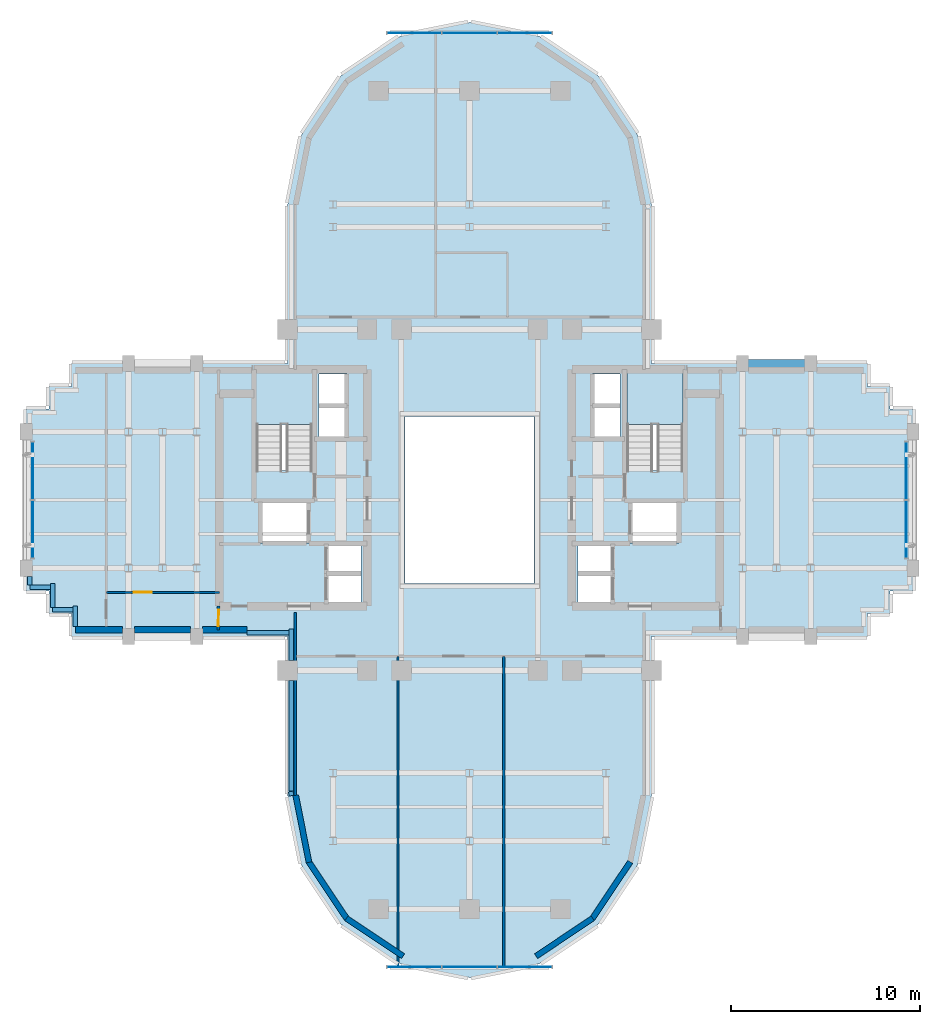
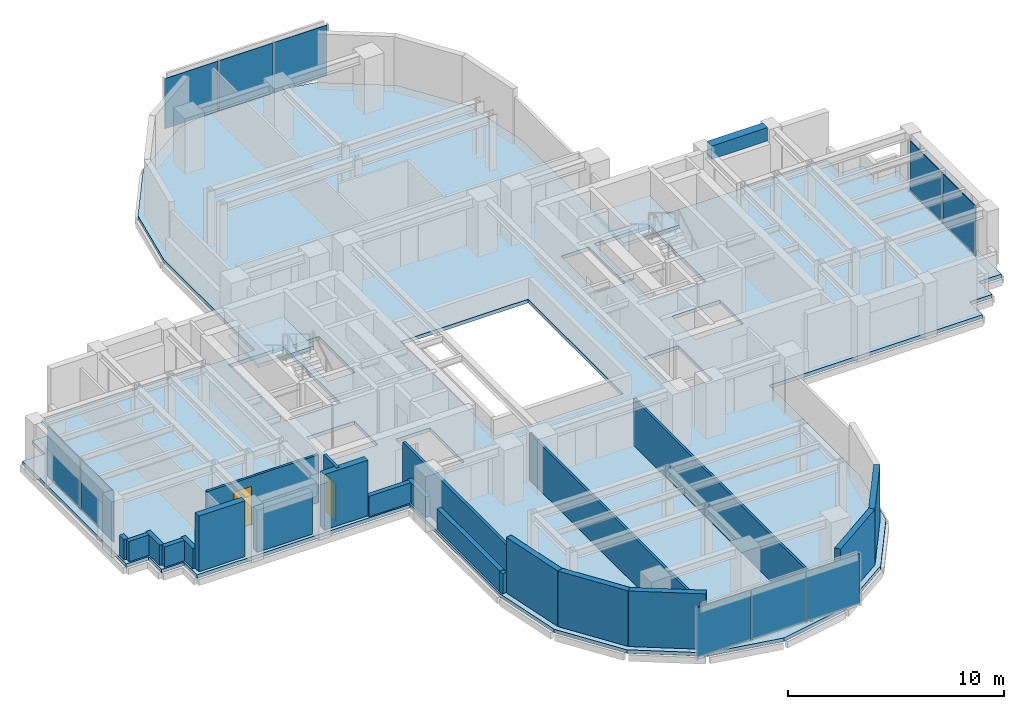
# One storey, part 7 of 13: 22 walls, 10 plates, 3 slabs, 2 doors, 1 beam, 2 openings, 6 elements without a shape of their own.
"""IFC4 building model written with IfcOpenShell, lengths in metres."""

from ifc_helpers import new_model, si_unit, direction, frame, frame_2d, origin, origin_2d, place, context, subcontext, project, spatial, polyline, rectangle, outline, extrude, source, transform, mapped, material, layer, layer_set, material_profile, profile_set, type_object, element, fill, aggregate, save


model = new_model("IFC4")

# Units and contexts
model_context = context("Model", 3, precision=1e-05, world=origin(), true_north=direction((0.0, 1.0)))
body_context = subcontext(model_context, "Body", "Model", "MODEL_VIEW")
ifc_project = project(units=[si_unit("LENGTHUNIT", "METRE"), si_unit("AREAUNIT", "SQUARE_METRE"), si_unit("VOLUMEUNIT", "CUBIC_METRE"), si_unit("PLANEANGLEUNIT", "RADIAN"), si_unit("MASSUNIT", "GRAM", prefix="KILO")], contexts=[model_context])

# Site, building, storey
site_placement = place(None, origin())
site = spatial("IfcSite", under=ifc_project, at=site_placement, CompositionType="ELEMENT")
building_placement = place(site_placement, origin())
building = spatial("IfcBuilding", under=site, at=building_placement, Name="Keilestroom Media Tower", CompositionType="ELEMENT")
storey_placement = place(building_placement, frame((0.0, 0.0, 148.199951171875)))
storey = spatial("IfcBuildingStorey", under=building, at=storey_placement, Name="L40", CompositionType="ELEMENT", Elevation=148.199951171875)

# Beam
ifc_material_1 = material(Name="Precast concrete C40/50", Category="concrete")
ifc_material_profile = material_profile(ifc_material_1, rectangle(XDim=0.449951171875, YDim=0.75, at=origin_2d()), Name="PC 450x750")
ifc_profile_set = profile_set([ifc_material_profile], Name="Precast concrete C40/50")
beam_type = type_object("IfcBeamType", Name="Perimeter-Spandrel-Beam-PC-450x750", PredefinedType="SPANDREL", material=ifc_profile_set)
shared_shape_1 = source(origin(), body_context, "Body", "SweptSolid", [
    extrude(rectangle(XDim=0.449951171875, YDim=0.75, at=origin_2d()), origin(), (0.0, 0.0, 1.0), 2.989990234375),
])
beam_placement = place(storey_placement, frame((14.705078125, 7.199951171875, 2.76513671875), z_axis=(1.0, 0.0, 0.0), x_axis=(0.0, 1.0, 0.0)))
element("IfcBeam", 1, at=beam_placement, inside=storey, type_object=beam_type, Name="L40 Beam SPB-1 BM-L40-EW-027", PredefinedType="SPANDREL", context=body_context, shape_type="MappedRepresentation", body=[
    mapped(shared_shape_1, transform((0.0, 0.0, 0.0), x_axis=(1.0, 0.0, 0.0), y_axis=(0.0, 1.0, 0.0), z_axis=(0.0, 0.0, 1.0), scale=1.0)),
])

# Slab
ifc_material_2 = material(Name="Concrete C50/60", Category="concrete")
ifc_layer_1 = layer(ifc_material_2, 0.199951171875)
ifc_layer_set_1 = layer_set([ifc_layer_1], Name="Concrete C50/60")
slab_type_1 = type_object("IfcSlabType", Name="Composite-Floor-Slab-200", PredefinedType="FLOOR", material=ifc_layer_set_1)
slab_1_placement = place(storey_placement, frame((0.0, 0.0, -0.199951171875)))
element("IfcSlab", 2, at=slab_1_placement, inside=storey, type_object=slab_type_1, Name="L40 Structural Composite Floor Slab", PredefinedType="FLOOR", context=body_context, shape_type="SweptSolid", body=[
    extrude(outline(polyline([(23.39990234375, -4.800048828125), (23.39990234375, 4.800048828125), (22.199951171875, 4.800048828125), (22.199951171875, 6.0), (21.0, 6.0), (21.0, 7.199951171875), (9.60009765625, 7.199951171875), (9.60009765625, 9.60009765625), (9.60009765625, 15.60009765625), (8.869140625, 19.273681640625), (6.7880859375, 22.38818359375), (3.673828125, 24.46923828125), (0.0, 25.199951171875), (-3.673828125, 24.46923828125), (-6.7880859375, 22.38818359375), (-8.869140625, 19.273681640625), (-9.60009765625, 15.60009765625), (-9.60009765625, 9.60009765625), (-9.60009765625, 7.199951171875), (-21.0, 7.199951171875), (-21.0, 6.0), (-22.199951171875, 6.0), (-22.199951171875, 4.800048828125), (-23.39990234375, 4.800048828125), (-23.39990234375, -4.800048828125), (-22.199951171875, -4.800048828125), (-22.199951171875, -6.0), (-21.0, -6.0), (-21.0, -7.199951171875), (-9.60009765625, -7.199951171875), (-9.60009765625, -9.60009765625), (-9.60009765625, -15.60009765625), (-8.869140625, -19.273681640625), (-6.7880859375, -22.38818359375), (-3.673828125, -24.46923828125), (0.0, -25.199951171875), (3.673828125, -24.46923828125), (6.7880859375, -22.38818359375), (8.869140625, -19.273681640625), (9.60009765625, -15.60009765625), (9.60009765625, -9.60009765625), (9.60009765625, -7.199951171875), (21.0, -7.199951171875), (21.0, -6.0), (22.199951171875, -6.0), (22.199951171875, -4.800048828125), (23.39990234375, -4.800048828125)]), holes=[polyline([(-11.260009765625, 1.544921875), (-11.260009765625, 6.760009765625), (-8.300048828125, 6.760009765625), (-8.300048828125, 1.544921875), (-11.260009765625, 1.544921875)]), polyline([(-11.050048828125, -2.280029296875), (-11.050048828125, -0.10009765625), (-8.47998046875, -0.10009765625), (-8.47998046875, -2.280029296875), (-11.050048828125, -2.280029296875)]), polyline([(-7.949951171875, 3.300048828125), (-7.949951171875, 6.64990234375), (-6.47998046875, 6.64990234375), (-6.47998046875, 3.300048828125), (-7.949951171875, 3.300048828125)]), polyline([(-7.56005859375, -2.320068359375), (-5.719970703125, -2.320068359375), (-5.719970703125, -5.47998046875), (-7.56005859375, -5.47998046875), (-7.56005859375, -2.320068359375)]), polyline([(3.39990234375, -4.39990234375), (-3.39990234375, -4.39990234375), (-3.39990234375, 4.39990234375), (3.39990234375, 4.39990234375), (3.39990234375, -4.39990234375)]), polyline([(7.56005859375, -2.320068359375), (7.56005859375, -5.47998046875), (5.719970703125, -5.47998046875), (5.719970703125, -2.320068359375), (7.56005859375, -2.320068359375)]), polyline([(6.47998046875, 3.300048828125), (6.47998046875, 6.64990234375), (7.949951171875, 6.64990234375), (7.949951171875, 3.300048828125), (6.47998046875, 3.300048828125)]), polyline([(8.300048828125, 1.544921875), (8.300048828125, 6.760009765625), (11.260009765625, 6.760009765625), (11.260009765625, 1.544921875), (8.300048828125, 1.544921875)]), polyline([(8.47998046875, -2.280029296875), (8.47998046875, -0.10009765625), (11.050048828125, -0.10009765625), (11.050048828125, -2.280029296875), (8.47998046875, -2.280029296875)])]), origin(), (0.0, 0.0, 1.0), 0.199951171875),
])

# Stair, slab
ifc_material_3 = material(Name="Concrete C45/55", Category="concrete")
stair_type = type_object("IfcStairType", Name="Enclosed-Dog-Leg-Stair-ST-CORE", PredefinedType="HALF_TURN_STAIR", material=ifc_material_3)
stair_1_placement = place(storey_placement, origin())
stair_1 = element("IfcStair", 3, at=stair_1_placement, inside=storey, type_object=stair_type, Name="L40 West Core Escape Stair ST-1", PredefinedType="HALF_TURN_STAIR")
ifc_layer_2 = layer(ifc_material_3, 0.199951171875)
ifc_layer_set_2 = layer_set([ifc_layer_2], Name="Concrete C45/55")
slab_type_2 = type_object("IfcSlabType", Name="Stair-Intermediate-And-Top-Landing-Slab-200", PredefinedType="LANDING", material=ifc_layer_set_2)
slab_2_placement = place(storey_placement, frame((0.0, 0.0, 1.5)))
slab_2 = element("IfcSlab", 4, at=slab_2_placement, type_object=slab_type_2, Name="ST-1 landing 1", PredefinedType="LANDING", context=body_context, shape_type="SweptSolid", body=[
    extrude(outline(polyline([(-8.300048828125, 3.99609375), (-8.300048828125, 6.760009765625), (-11.260009765625, 6.760009765625), (-11.260009765625, 3.99609375), (-8.300048828125, 3.99609375)])), origin(), (0.0, 0.0, 1.0), 0.199951171875),
])
aggregate(stair_1, [slab_2])

stair_2_placement = place(storey_placement, origin())
stair_2 = element("IfcStair", 5, at=stair_2_placement, inside=storey, type_object=stair_type, Name="L40 East Core Escape Stair ST-2", PredefinedType="HALF_TURN_STAIR")
slab_3_placement = place(storey_placement, frame((0.0, 0.0, 1.5)))
slab_3 = element("IfcSlab", 6, at=slab_3_placement, type_object=slab_type_2, Name="ST-2 landing 1", PredefinedType="LANDING", context=body_context, shape_type="SweptSolid", body=[
    extrude(outline(polyline([(11.260009765625, 3.99609375), (11.260009765625, 6.760009765625), (8.300048828125, 6.760009765625), (8.300048828125, 3.99609375), (11.260009765625, 3.99609375)])), origin(), (0.0, 0.0, 1.0), 0.199951171875),
])
aggregate(stair_2, [slab_3])

# Curtain wall, plates
ifc_material_4 = material(Name="Anodised Aluminium Alloy", Category="aluminium")
curtain_wall_type_1 = type_object("IfcCurtainWallType", Name="Unitised-Curtain-Wall-CW-6", PredefinedType="NOTDEFINED", material=ifc_material_4)
curtain_wall_1_placement = place(storey_placement, origin())
curtain_wall_1 = element("IfcCurtainWall", 7, at=curtain_wall_1_placement, inside=storey, type_object=curtain_wall_type_1, Name="L40 Curtain Wall CW-6 CW-L40-LN-1", PredefinedType="NOTDEFINED")
ifc_material_5 = material(Name="Curved-Facet Triple Glazed Unit", Category="glass")
ifc_layer_3 = layer(ifc_material_5, 0.033935546875)
ifc_layer_set_3 = layer_set([ifc_layer_3], Name="Curved-Facet Triple Glazed Unit")
plate_type_1 = type_object("IfcPlateType", Name="Insulated-Curtain-Wall-Glazing-Panel-CW-6", PredefinedType="CURTAIN_PANEL", material=ifc_layer_set_3)
shared_shape_2 = source(origin(), body_context, "Body", "SweptSolid", [
    extrude(rectangle(XDim=2.84375, YDim=0.033935546875, at=origin_2d()), origin(), (0.0, 0.0, 1.0), 2.833984375),
])
plate_1_placement = place(storey_placement, frame((-2.9169921875, 24.64990234375, 0.072998046875), z_axis=(0.0, 0.0, 1.0), x_axis=(1.0, 0.0, 0.0)))
plate_1 = element("IfcPlate", 8, at=plate_1_placement, type_object=plate_type_1, Name="CW-6 Unitised Glazing 00", PredefinedType="CURTAIN_PANEL", context=body_context, shape_type="MappedRepresentation", body=[
    mapped(shared_shape_2, transform((0.0, 0.0, 0.0), x_axis=(1.0, 0.0, 0.0), y_axis=(0.0, 1.0, 0.0), z_axis=(0.0, 0.0, 1.0), scale=1.0)),
])
plate_2_placement = place(storey_placement, frame((2.9169921875, 24.64990234375, 0.072998046875), z_axis=(0.0, 0.0, 1.0), x_axis=(1.0, 0.0, 0.0)))
plate_2 = element("IfcPlate", 9, at=plate_2_placement, type_object=plate_type_1, Name="CW-6 Unitised Glazing 02", PredefinedType="CURTAIN_PANEL", context=body_context, shape_type="MappedRepresentation", body=[
    mapped(shared_shape_2, transform((0.0, 0.0, 0.0), x_axis=(1.0, 0.0, 0.0), y_axis=(0.0, 1.0, 0.0), z_axis=(0.0, 0.0, 1.0), scale=1.0)),
])

curtain_wall_2_placement = place(storey_placement, origin())
curtain_wall_2 = element("IfcCurtainWall", 10, at=curtain_wall_2_placement, inside=storey, type_object=curtain_wall_type_1, Name="L40 Curtain Wall CW-6 CW-L40-LS-1", PredefinedType="NOTDEFINED")
plate_3_placement = place(storey_placement, frame((-2.9169921875, -24.64990234375, 0.072998046875), z_axis=(0.0, 0.0, 1.0), x_axis=(1.0, 0.0, 0.0)))
plate_3 = element("IfcPlate", 11, at=plate_3_placement, type_object=plate_type_1, Name="CW-6 Unitised Glazing 00", PredefinedType="CURTAIN_PANEL", context=body_context, shape_type="MappedRepresentation", body=[
    mapped(shared_shape_2, transform((0.0, 0.0, 0.0), x_axis=(1.0, 0.0, 0.0), y_axis=(0.0, 1.0, 0.0), z_axis=(0.0, 0.0, 1.0), scale=1.0)),
])
plate_4_placement = place(storey_placement, frame((2.9169921875, -24.64990234375, 0.072998046875), z_axis=(0.0, 0.0, 1.0), x_axis=(1.0, 0.0, 0.0)))
plate_4 = element("IfcPlate", 12, at=plate_4_placement, type_object=plate_type_1, Name="CW-6 Unitised Glazing 02", PredefinedType="CURTAIN_PANEL", context=body_context, shape_type="MappedRepresentation", body=[
    mapped(shared_shape_2, transform((0.0, 0.0, 0.0), x_axis=(1.0, 0.0, 0.0), y_axis=(0.0, 1.0, 0.0), z_axis=(0.0, 0.0, 1.0), scale=1.0)),
])

# Plate
shared_shape_3 = source(origin(), body_context, "Body", "SweptSolid", [
    extrude(rectangle(XDim=2.876220703125, YDim=0.033935546875, at=origin_2d()), origin(), (0.0, 0.0, 1.0), 2.833984375),
])
plate_5_placement = place(storey_placement, frame((0.0, 24.64990234375, 0.072998046875), z_axis=(0.0, 0.0, 1.0), x_axis=(1.0, 0.0, 0.0)))
plate_5 = element("IfcPlate", 13, at=plate_5_placement, type_object=plate_type_1, Name="CW-6 Unitised Glazing 01", PredefinedType="CURTAIN_PANEL", context=body_context, shape_type="MappedRepresentation", body=[
    mapped(shared_shape_3, transform((0.0, 0.0, 0.0), x_axis=(1.0, 0.0, 0.0), y_axis=(0.0, 1.0, 0.0), z_axis=(0.0, 0.0, 1.0), scale=1.0)),
])

aggregate(curtain_wall_1, [plate_1, plate_5, plate_2])

plate_6_placement = place(storey_placement, frame((0.0, -24.64990234375, 0.072998046875), z_axis=(0.0, 0.0, 1.0), x_axis=(1.0, 0.0, 0.0)))
plate_6 = element("IfcPlate", 14, at=plate_6_placement, type_object=plate_type_1, Name="CW-6 Unitised Glazing 01", PredefinedType="CURTAIN_PANEL", context=body_context, shape_type="MappedRepresentation", body=[
    mapped(shared_shape_3, transform((0.0, 0.0, 0.0), x_axis=(1.0, 0.0, 0.0), y_axis=(0.0, 1.0, 0.0), z_axis=(0.0, 0.0, 1.0), scale=1.0)),
])

aggregate(curtain_wall_2, [plate_3, plate_6, plate_4])

# Curtain wall, plates
curtain_wall_type_2 = type_object("IfcCurtainWallType", Name="Unitised-Curtain-Wall-CW-2", PredefinedType="NOTDEFINED", material=ifc_material_4)
curtain_wall_3_placement = place(storey_placement, origin())
curtain_wall_3 = element("IfcCurtainWall", 15, at=curtain_wall_3_placement, inside=storey, type_object=curtain_wall_type_2, Name="L40 Curtain Wall CW-2 CW-L40-W-1", PredefinedType="NOTDEFINED")
ifc_material_6 = material(Name="Double Glazed Low-E Unit", Category="glass")
ifc_layer_4 = layer(ifc_material_6, 0.0419921875)
ifc_layer_set_4 = layer_set([ifc_layer_4], Name="Double Glazed Low-E Unit")
plate_type_2 = type_object("IfcPlateType", Name="Insulated-Curtain-Wall-Glazing-Panel-CW-2", PredefinedType="CURTAIN_PANEL", material=ifc_layer_set_4)
shared_shape_4 = source(origin(), body_context, "Body", "SweptSolid", [
    extrude(rectangle(XDim=3.01806640625, YDim=0.0419921875, at=origin_2d()), origin(), (0.0, 0.0, 1.0), 2.833984375),
])
plate_7_placement = place(storey_placement, frame((-23.050048828125, -1.5400390625, 0.072998046875), z_axis=(0.0, 0.0, 1.0), x_axis=(0.0, 1.0, 0.0)))
plate_7 = element("IfcPlate", 16, at=plate_7_placement, type_object=plate_type_2, Name="CW-2 Unitised Glazing 00", PredefinedType="CURTAIN_PANEL", context=body_context, shape_type="MappedRepresentation", body=[
    mapped(shared_shape_4, transform((0.0, 0.0, 0.0), x_axis=(1.0, 0.0, 0.0), y_axis=(0.0, 1.0, 0.0), z_axis=(0.0, 0.0, 1.0), scale=1.0)),
])
plate_8_placement = place(storey_placement, frame((-23.050048828125, 1.5400390625, 0.072998046875), z_axis=(0.0, 0.0, 1.0), x_axis=(0.0, 1.0, 0.0)))
plate_8 = element("IfcPlate", 17, at=plate_8_placement, type_object=plate_type_2, Name="CW-2 Unitised Glazing 01", PredefinedType="CURTAIN_PANEL", context=body_context, shape_type="MappedRepresentation", body=[
    mapped(shared_shape_4, transform((0.0, 0.0, 0.0), x_axis=(1.0, 0.0, 0.0), y_axis=(0.0, 1.0, 0.0), z_axis=(0.0, 0.0, 1.0), scale=1.0)),
])
aggregate(curtain_wall_3, [plate_7, plate_8])

curtain_wall_4_placement = place(storey_placement, origin())
curtain_wall_4 = element("IfcCurtainWall", 18, at=curtain_wall_4_placement, inside=storey, type_object=curtain_wall_type_2, Name="L40 Curtain Wall CW-2 CW-L40-E-1", PredefinedType="NOTDEFINED")
plate_9_placement = place(storey_placement, frame((23.050048828125, -1.5400390625, 0.072998046875), z_axis=(0.0, 0.0, 1.0), x_axis=(0.0, 1.0, 0.0)))
plate_9 = element("IfcPlate", 19, at=plate_9_placement, type_object=plate_type_2, Name="CW-2 Unitised Glazing 00", PredefinedType="CURTAIN_PANEL", context=body_context, shape_type="MappedRepresentation", body=[
    mapped(shared_shape_4, transform((0.0, 0.0, 0.0), x_axis=(1.0, 0.0, 0.0), y_axis=(0.0, 1.0, 0.0), z_axis=(0.0, 0.0, 1.0), scale=1.0)),
])
plate_10_placement = place(storey_placement, frame((23.050048828125, 1.5400390625, 0.072998046875), z_axis=(0.0, 0.0, 1.0), x_axis=(0.0, 1.0, 0.0)))
plate_10 = element("IfcPlate", 20, at=plate_10_placement, type_object=plate_type_2, Name="CW-2 Unitised Glazing 01", PredefinedType="CURTAIN_PANEL", context=body_context, shape_type="MappedRepresentation", body=[
    mapped(shared_shape_4, transform((0.0, 0.0, 0.0), x_axis=(1.0, 0.0, 0.0), y_axis=(0.0, 1.0, 0.0), z_axis=(0.0, 0.0, 1.0), scale=1.0)),
])
aggregate(curtain_wall_4, [plate_9, plate_10])

# Walls
ifc_layer_5 = layer(ifc_material_1, 0.300048828125)
ifc_layer_set_5 = layer_set([ifc_layer_5], Name="Precast concrete C40/50")
wall_type_1 = type_object("IfcWallType", Name="Exterior-Masonry-Spandrel-Wall-300", PredefinedType="SOLIDWALL", material=ifc_layer_set_5)
for number, where, z_axis, x_axis, name in (
    (21, (-9.1748046875, -15.585205078125, 0.0), (0.0, 0.0, 1.0), (0.195114232679, -0.980780523974, 0.0), "L40 Lobe Facet Precast Frame Wall 07"),
    (22, (-8.48193359375, -19.097412109375, 0.0), (0.0, 0.0, 1.0), (0.555574187116, -0.831466970246, 0.0), "L40 Lobe Facet Precast Frame Wall 08"),
):
    element("IfcWall", number, at=place(storey_placement, frame(where, z_axis=z_axis, x_axis=x_axis)), inside=storey, type_object=wall_type_1, Name=name, PredefinedType="SOLIDWALL", context=body_context, shape_type="SweptSolid", body=[
        extrude(rectangle(XDim=3.608642578125, YDim=0.300048828125, at=frame_2d((1.80419921875, 0.0))), origin(), (0.0, 0.0, 1.0), 3.14013671875),
    ])
for number, where, z_axis, x_axis, name in (
    (23, (-6.497802734375, -22.0771484375, 0.0), (0.0, 0.0, 1.0), (0.8314749531, -0.555562239868, 0.0), "L40 Lobe Facet Precast Frame Wall 09"),
    (24, (3.510009765625, -24.073486328125, 0.0), (0.0, 0.0, 1.0), (0.8314749531, 0.555562239868, 0.0), "L40 Lobe Facet Precast Frame Wall 10"),
):
    element("IfcWall", number, at=place(storey_placement, frame(where, z_axis=z_axis, x_axis=x_axis)), inside=storey, type_object=wall_type_1, Name=name, PredefinedType="SOLIDWALL", context=body_context, shape_type="SweptSolid", body=[
        extrude(rectangle(XDim=3.59326171875, YDim=0.300048828125, at=frame_2d((1.796630859375, 0.0))), origin(), (0.0, 0.0, 1.0), 3.14013671875),
    ])
wall_1_placement = place(storey_placement, frame((6.47705078125, -22.097900390625, 0.0), z_axis=(0.0, 0.0, 1.0), x_axis=(0.555574187116, 0.831466970246, 0.0)))
element("IfcWall", 25, at=wall_1_placement, inside=storey, type_object=wall_type_1, Name="L40 Lobe Facet Precast Frame Wall 11", PredefinedType="SOLIDWALL", context=body_context, shape_type="SweptSolid", body=[
    extrude(rectangle(XDim=3.608642578125, YDim=0.300048828125, at=frame_2d((1.80419921875, 0.0))), origin(), (0.0, 0.0, 1.0), 3.14013671875),
])
ifc_layer_6 = layer(ifc_material_1, 0.340087890625)
ifc_layer_set_6 = layer_set([ifc_layer_6], Name="Precast concrete C40/50")
wall_type_2 = type_object("IfcWallType", Name="Exterior-Masonry-Spandrel-Wall-340", PredefinedType="SOLIDWALL", material=ifc_layer_set_6)
wall_2_placement = place(storey_placement, frame((-20.800048828125, -6.85009765625, 0.0), z_axis=(0.0, 0.0, 1.0), x_axis=(1.0, 0.0, 0.0)))
element("IfcWall", 26, at=wall_2_placement, inside=storey, type_object=wall_type_2, Name="L40 Flank Masonry Wall EWL-L40-SW-1", PredefinedType="SOLIDWALL", context=body_context, shape_type="SweptSolid", body=[
    extrude(rectangle(XDim=2.483154296875, YDim=0.340087890625, at=frame_2d((1.24169921875, 0.0))), origin(), (0.0, 0.0, 1.0), 3.14013671875),
])
wall_3_placement = place(storey_placement, frame((-17.68310546875, -6.85009765625, 0.0), z_axis=(0.0, 0.0, 1.0), x_axis=(1.0, 0.0, 0.0)))
element("IfcWall", 27, at=wall_3_placement, inside=storey, type_object=wall_type_2, Name="L40 Flank Masonry Wall EWL-L40-SW-2", PredefinedType="SOLIDWALL", context=body_context, shape_type="SweptSolid", body=[
    extrude(rectangle(XDim=2.966064453125, YDim=0.340087890625, at=frame_2d((1.48291015625, 0.0))), origin(), (0.0, 0.0, 1.0), 2.39013671875),
])
wall_4_placement = place(storey_placement, frame((-14.0830078125, -6.85009765625, 0.0), z_axis=(0.0, 0.0, 1.0), x_axis=(1.0, 0.0, 0.0)))
element("IfcWall", 28, at=wall_4_placement, inside=storey, type_object=wall_type_2, Name="L40 Flank Masonry Wall EWL-L40-SW-3", PredefinedType="SOLIDWALL", context=body_context, shape_type="SweptSolid", body=[
    extrude(rectangle(XDim=2.3330078125, YDim=0.340087890625, at=frame_2d((1.16650390625, 0.0))), origin(), (0.0, 0.0, 1.0), 3.14013671875),
])
ifc_material_7 = material(Name="Gypsum Plasterboard & Steel Stud", Category="steel")
ifc_layer_7 = layer(ifc_material_7, 0.1201171875)
ifc_layer_set_7 = layer_set([ifc_layer_7], Name="Gypsum Plasterboard & Steel Stud")
wall_type_3 = type_object("IfcWallType", Name="Interior-Partition-Wall-120", PredefinedType="PARTITIONING", material=ifc_layer_set_7)
for number, where, z_axis, x_axis, name in (
    (29, (-3.780029296875, -24.64990234375, 0.0), (0.0, 0.0, 1.0), (0.0, 1.0, 0.0), "L40 Interior Wall WP-L40-SL-V1"),
    (30, (1.800048828125, -24.64990234375, 0.0), (0.0, 0.0, 1.0), (0.0, 1.0, 0.0), "L40 Interior Wall WP-L40-SL-V2"),
):
    element("IfcWall", number, at=place(storey_placement, frame(where, z_axis=z_axis, x_axis=x_axis)), inside=storey, type_object=wall_type_3, Name=name, PredefinedType="PARTITIONING", context=body_context, shape_type="SweptSolid", body=[
        extrude(rectangle(XDim=16.39990234375, YDim=0.1201171875, at=frame_2d((8.199951171875, 0.0))), origin(), (0.0, 0.0, 1.0), 2.64013671875),
    ])

# Wall, opening, door
wall_5_placement = place(storey_placement, frame((-19.169921875, -4.8798828125, 0.0), z_axis=(0.0, 0.0, 1.0), x_axis=(1.0, 0.0, 0.0)))
wall_5 = element("IfcWall", 31, at=wall_5_placement, inside=storey, type_object=wall_type_3, Name="L40 Interior Wall WP-L40-WA-CN", PredefinedType="PARTITIONING", context=body_context, shape_type="SweptSolid", body=[
    extrude(rectangle(XDim=5.969970703125, YDim=0.1201171875, at=frame_2d((2.98486328125, 0.0))), origin(), (0.0, 0.0, 1.0), 2.68994140625),
])
opening_1_placement = place(wall_5_placement, frame((1.449951171875, 0.0, 0.0)))
opening_1 = element("IfcOpeningElement", 32, at=opening_1_placement, cuts=wall_5, Name="Opening DI-03", PredefinedType="OPENING", context=body_context, shape_type="SweptSolid", body=[
    extrude(rectangle(XDim=0.949951171875, YDim=2.14990234375, at=frame_2d((0.47509765625, 1.074951171875))), frame((0.0, 0.070068359375, 0.0), z_axis=(0.0, -1.0, 0.0), x_axis=(1.0, 0.0, 0.0)), (0.0, 0.0, 1.0), 0.14013671875),
])
ifc_material_8 = material(Name="Lacquered European Oak Leaf", Category="wood")
door_type_1 = type_object("IfcDoorType", Name="Interior-Room-And-Suite-Door-DI-03", OperationType="NOTDEFINED", PredefinedType="DOOR", material=ifc_material_8)
shared_shape_5 = source(origin(), body_context, "Body", "SweptSolid", [
    extrude(rectangle(XDim=0.949951171875, YDim=2.14990234375, at=frame_2d((0.47509765625, 1.074951171875))), frame((0.0, 0.02490234375, 0.0), z_axis=(0.0, -1.0, 0.0), x_axis=(1.0, 0.0, 0.0)), (0.0, 0.0, 1.0), 0.050048828125),
])
door_1_placement = place(opening_1_placement, origin())
door_1 = element("IfcDoor", 33, at=door_1_placement, inside=storey, type_object=door_type_1, Name="L40 Interior Door DI-L40-DWA-RN", OperationType="SINGLE_SWING_RIGHT", OverallHeight=2.14990234375, OverallWidth=0.949951171875, PredefinedType="DOOR", context=body_context, shape_type="MappedRepresentation", body=[
    mapped(shared_shape_5, transform((0.0, 0.0, 0.0), x_axis=(1.0, 0.0, 0.0), y_axis=(0.0, 1.0, 0.0), z_axis=(0.0, 0.0, 1.0), scale=1.0)),
])
fill(opening_1, door_1)

# Wall
ifc_layer_8 = layer(ifc_material_7, 0.14990234375)
ifc_layer_set_8 = layer_set([ifc_layer_8], Name="Gypsum Plasterboard & Steel Stud")
wall_type_4 = type_object("IfcWallType", Name="Interior-Partition-Wall-150", PredefinedType="PARTITIONING", material=ifc_layer_set_8)
wall_6_placement = place(storey_placement, frame((-9.199951171875, -15.679931640625, 0.0), z_axis=(0.0, 0.0, 1.0), x_axis=(0.0, 1.0, 0.0)))
element("IfcWall", 34, at=wall_6_placement, inside=storey, type_object=wall_type_4, Name="L40 Interior Wall WP-L40-SL-CHKW", PredefinedType="PARTITIONING", context=body_context, shape_type="SweptSolid", body=[
    extrude(rectangle(XDim=9.739990234375, YDim=0.14990234375, at=frame_2d((4.8701171875, 0.0))), origin(), (0.0, 0.0, 1.0), 2.64013671875),
])

# Wall, opening, door
wall_7_placement = place(storey_placement, frame((-13.260009765625, -6.85009765625, 0.0), z_axis=(0.0, 0.0, 1.0), x_axis=(0.016013571389, 0.999871774545, 0.0)))
wall_7 = element("IfcWall", 35, at=wall_7_placement, inside=storey, type_object=wall_type_4, Name="L40 Interior Wall WP-L40-WA-ENTS", PredefinedType="PARTITIONING", context=body_context, shape_type="SweptSolid", body=[
    extrude(rectangle(XDim=1.250244140625, YDim=0.14990234375, at=frame_2d((0.625, 0.0))), origin(), (0.0, 0.0, 1.0), 3.14013671875),
])
opening_2_placement = place(wall_7_placement, frame((0.199951171875, 0.0, 0.0)))
opening_2 = element("IfcOpeningElement", 36, at=opening_2_placement, cuts=wall_7, Name="Opening DI-05", PredefinedType="OPENING", context=body_context, shape_type="SweptSolid", body=[
    extrude(rectangle(XDim=0.85009765625, YDim=2.10009765625, at=frame_2d((0.425048828125, 1.050048828125))), frame((0.0, 0.0849609375, 0.0), z_axis=(0.0, -1.0, 0.0), x_axis=(1.0, 0.0, 0.0)), (0.0, 0.0, 1.0), 0.169921875),
])
ifc_material_9 = material(Name="Moisture-Resistant Oak Leaf", Category="wood")
door_type_2 = type_object("IfcDoorType", Name="Interior-En-Suite-And-Cupboard-Door-DI-05", OperationType="NOTDEFINED", PredefinedType="DOOR", material=ifc_material_9)
shared_shape_6 = source(origin(), body_context, "Body", "SweptSolid", [
    extrude(rectangle(XDim=0.85009765625, YDim=2.10009765625, at=frame_2d((0.425048828125, 1.050048828125))), frame((0.0, 0.02490234375, 0.0), z_axis=(0.0, -1.0, 0.0), x_axis=(1.0, 0.0, 0.0)), (0.0, 0.0, 1.0), 0.050048828125),
])
door_2_placement = place(opening_2_placement, origin())
door_2 = element("IfcDoor", 37, at=door_2_placement, inside=storey, type_object=door_type_2, Name="L40 Interior Door DI-L40-DWA-ENTS", OperationType="SINGLE_SWING_RIGHT", OverallHeight=2.10009765625, OverallWidth=0.85009765625, PredefinedType="DOOR", context=body_context, shape_type="MappedRepresentation", body=[
    mapped(shared_shape_6, transform((0.0, 0.0, 0.0), x_axis=(1.0, 0.0, 0.0), y_axis=(0.0, 1.0, 0.0), z_axis=(0.0, 0.0, 1.0), scale=1.0)),
])
fill(opening_2, door_2)

# Walls
ifc_layer_9 = layer(ifc_material_1, 0.239990234375)
ifc_layer_set_9 = layer_set([ifc_layer_9], Name="Precast concrete C40/50")
wall_type_5 = type_object("IfcWallType", Name="Roof-And-Terrace-Parapet-Wall-240", PredefinedType="PARAPET", material=ifc_layer_set_9)
wall_8_placement = place(storey_placement, frame((-9.395263671875, -15.604248046875, 0.0), z_axis=(0.0, 0.0, 1.0), x_axis=(-0.194652052864, 0.980872355771, 0.0)))
element("IfcWall", 38, at=wall_8_placement, inside=storey, type_object=wall_type_5, Name="L40 Perimeter Edge Parapet Wall 08", PredefinedType="PARAPET", context=body_context, shape_type="SweptSolid", body=[
    extrude(rectangle(XDim=0.224609375, YDim=0.239990234375, at=frame_2d((0.1123046875, 0.0))), origin(), (0.0, 0.0, 1.0), 1.150146484375),
])
wall_9_placement = place(storey_placement, frame((-9.39990234375, -15.357666015625, 0.0), z_axis=(0.0, 0.0, 1.0), x_axis=(0.0, 1.0, 0.0)))
element("IfcWall", 39, at=wall_9_placement, inside=storey, type_object=wall_type_5, Name="L40 Perimeter Edge Parapet Wall 09", PredefinedType="PARAPET", context=body_context, shape_type="SweptSolid", body=[
    extrude(rectangle(XDim=5.82958984375, YDim=0.239990234375, at=frame_2d((2.914794921875, 0.0))), origin(), (0.0, 0.0, 1.0), 1.150146484375),
])
wall_10_placement = place(storey_placement, frame((-9.39990234375, -8.471923828125, 0.0), z_axis=(0.0, 0.0, 1.0), x_axis=(0.0, 1.0, 0.0)))
element("IfcWall", 40, at=wall_10_placement, inside=storey, type_object=wall_type_5, Name="L40 Perimeter Edge Parapet Wall 10", PredefinedType="PARAPET", context=body_context, shape_type="SweptSolid", body=[
    extrude(rectangle(XDim=1.671875, YDim=0.239990234375, at=frame_2d((0.8359375, 0.0))), origin(), (0.0, 0.0, 1.0), 1.150146484375),
])
wall_11_placement = place(storey_placement, frame((-9.52294921875, -7.0, 0.0), z_axis=(0.0, 0.0, 1.0), x_axis=(-1.0, 0.0, 0.0)))
element("IfcWall", 41, at=wall_11_placement, inside=storey, type_object=wall_type_5, Name="L40 Perimeter Edge Parapet Wall 11", PredefinedType="PARAPET", context=body_context, shape_type="SweptSolid", body=[
    extrude(rectangle(XDim=2.22412109375, YDim=0.239990234375, at=frame_2d((1.112060546875, 0.0))), origin(), (0.0, 0.0, 1.0), 1.150146484375),
])
for number, where, z_axis, x_axis, name in (
    (42, (-20.800048828125, -6.677001953125, 0.0), (0.0, 0.0, 1.0), (0.0, 1.0, 0.0), "L40 Perimeter Edge Parapet Wall 12"),
    (43, (-20.923095703125, -5.800048828125, 0.0), (0.0, 0.0, 1.0), (-1.0, 0.0, 0.0), "L40 Perimeter Edge Parapet Wall 13"),
):
    element("IfcWall", number, at=place(storey_placement, frame(where, z_axis=z_axis, x_axis=x_axis)), inside=storey, type_object=wall_type_5, Name=name, PredefinedType="PARAPET", context=body_context, shape_type="SweptSolid", body=[
        extrude(rectangle(XDim=1.076904296875, YDim=0.239990234375, at=frame_2d((0.53857421875, 0.0))), origin(), (0.0, 0.0, 1.0), 1.150146484375),
    ])
wall_12_placement = place(storey_placement, frame((-22.0, -5.677001953125, 0.0), z_axis=(0.0, 0.0, 1.0), x_axis=(0.0, 1.0, 0.0)))
element("IfcWall", 44, at=wall_12_placement, inside=storey, type_object=wall_type_5, Name="L40 Perimeter Edge Parapet Wall 14", PredefinedType="PARAPET", context=body_context, shape_type="SweptSolid", body=[
    extrude(rectangle(XDim=1.277099609375, YDim=0.239990234375, at=frame_2d((0.638671875, 0.0))), origin(), (0.0, 0.0, 1.0), 1.150146484375),
])
wall_13_placement = place(storey_placement, frame((-22.123046875, -4.60009765625, 0.0), z_axis=(0.0, 0.0, 1.0), x_axis=(-1.0, 0.0, 0.0)))
element("IfcWall", 45, at=wall_13_placement, inside=storey, type_object=wall_type_5, Name="L40 Perimeter Edge Parapet Wall 15", PredefinedType="PARAPET", context=body_context, shape_type="SweptSolid", body=[
    extrude(rectangle(XDim=1.076904296875, YDim=0.239990234375, at=frame_2d((0.53857421875, 0.0))), origin(), (0.0, 0.0, 1.0), 1.150146484375),
])
wall_14_placement = place(storey_placement, frame((-23.199951171875, -4.47705078125, 0.0), z_axis=(0.0, 0.0, 1.0), x_axis=(0.0, 1.0, 0.0)))
element("IfcWall", 46, at=wall_14_placement, inside=storey, type_object=wall_type_5, Name="L40 Perimeter Edge Parapet Wall 16", PredefinedType="PARAPET", context=body_context, shape_type="SweptSolid", body=[
    extrude(rectangle(XDim=0.448974609375, YDim=0.239990234375, at=frame_2d((0.224609375, 0.0))), origin(), (0.0, 0.0, 1.0), 1.150146484375),
])

save(model, "model.ifc")
